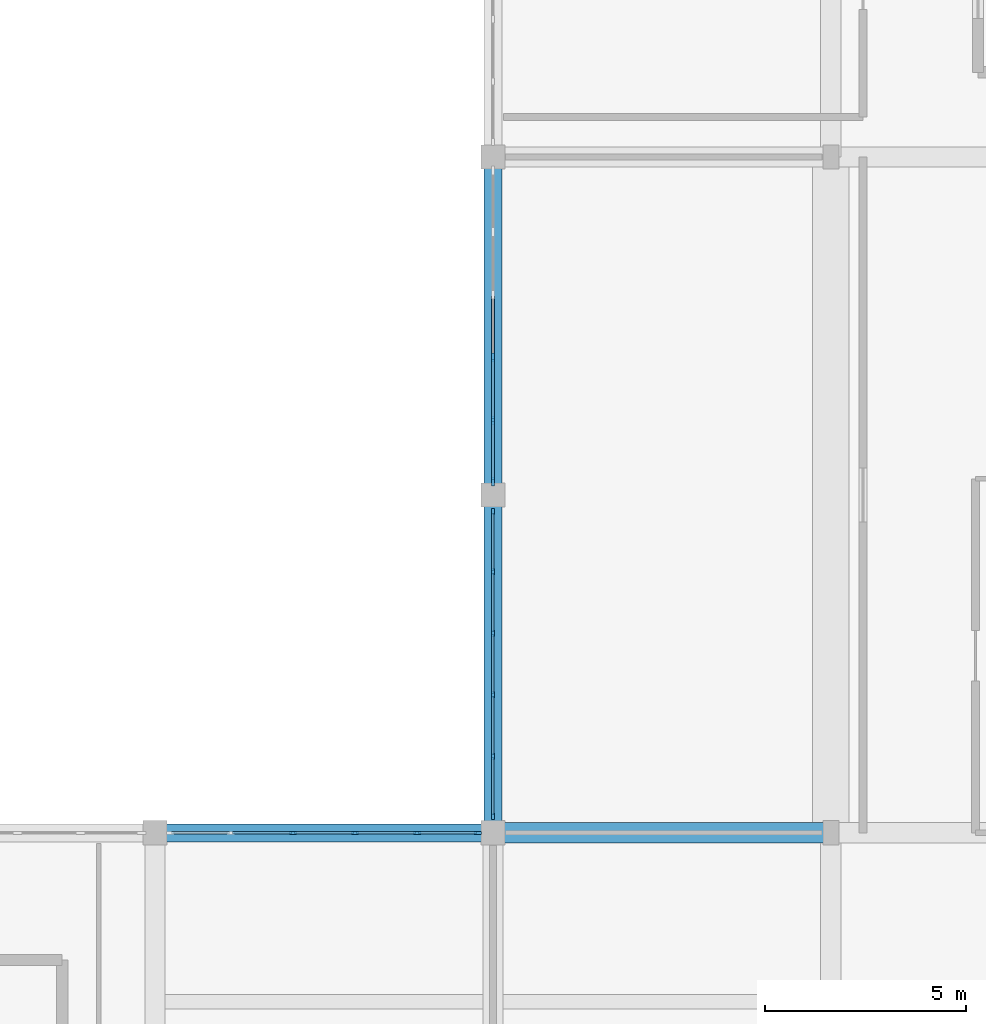
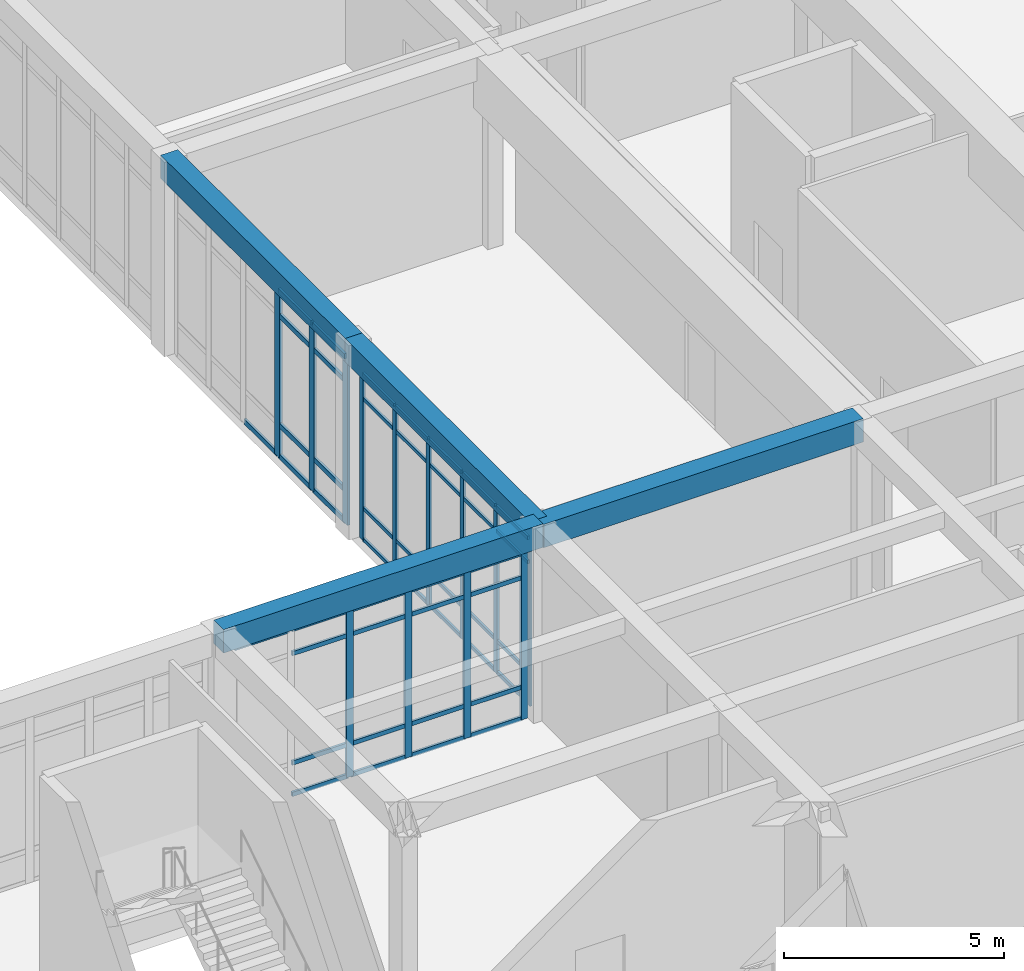
# One storey, part 33 of 89: 59 members, 4 beams, 3 elements without a shape of their own.
"""IFC4 building model written with IfcOpenShell, lengths in metres."""

from ifc_helpers import new_model, si_unit, direction, frame, origin, origin_2d, place, context, subcontext, project, spatial, rectangle, extrude, material, material_profile, profile_set, type_object, element, aggregate, save


model = new_model("IFC4")

# Units and contexts
model_context = context("Model", 3, precision=1e-05, world=origin(), true_north=direction((0.0, 1.0)))
body_context = subcontext(model_context, "Body", "Model", "MODEL_VIEW")
ifc_project = project(units=[si_unit("LENGTHUNIT", "METRE"), si_unit("AREAUNIT", "SQUARE_METRE"), si_unit("VOLUMEUNIT", "CUBIC_METRE"), si_unit("PLANEANGLEUNIT", "RADIAN"), si_unit("MASSUNIT", "GRAM", prefix="KILO")], contexts=[model_context])

# Site, building, storey
site_placement = place(None, origin())
site = spatial("IfcSite", under=ifc_project, at=site_placement, CompositionType="ELEMENT")
building_placement = place(site_placement, origin())
building = spatial("IfcBuilding", under=site, at=building_placement, Name="Varncliffe General Hospital", CompositionType="ELEMENT")
storey_placement = place(building_placement, frame((0.0, 0.0, 10.800048828125)))
storey = spatial("IfcBuildingStorey", under=building, at=storey_placement, Name="L02", CompositionType="ELEMENT", Elevation=10.800048828125)

# Beam
ifc_material_1 = material(Name="Concrete C35/45 (CSA A23.1 35 MPa)", Category="concrete")
ifc_material_profile_1 = material_profile(ifc_material_1, rectangle(XDim=0.5, YDim=0.64990234375, at=origin_2d()), Name="RC 500x650")
ifc_profile_set_1 = profile_set([ifc_material_profile_1], Name="Concrete C35/45 (CSA A23.1 35 MPa)")
beam_type_1 = type_object("IfcBeamType", Name="Beam B29 (Int RC 500x650)", PredefinedType="BEAM", material=ifc_profile_set_1)
beam_1_placement = place(storey_placement, frame((151.199951171875, 40.800048828125, 5.074951171875), z_axis=(1.0, 0.0, 0.0), x_axis=(0.0, 1.0, 0.0)))
element("IfcBeam", 1, at=beam_1_placement, inside=storey, type_object=beam_type_1, Name="L02 Primary Beam B29-48", PredefinedType="BEAM", context=body_context, shape_type="SweptSolid", body=[
    extrude(rectangle(XDim=0.5, YDim=0.64990234375, at=origin_2d()), origin(), (0.0, 0.0, 1.0), 8.400146484375),
])

# Curtain wall, members
ifc_material_2 = material(Name="Triple low-E argon insulated vision glazing", Category="glass")
curtain_wall_type_1 = type_object("IfcCurtainWallType", Name="Unitised Glazed Curtain Wall CW70 (7724x4640)", PredefinedType="USERDEFINED", material=ifc_material_2)
curtain_wall_1_placement = place(storey_placement, origin())
curtain_wall_1 = element("IfcCurtainWall", 2, at=curtain_wall_1_placement, inside=storey, type_object=curtain_wall_type_1, Name="L02 Glazed Curtain Wall CW70-121", ObjectType="GLAZED CURTAIN WALL", PredefinedType="USERDEFINED")
ifc_material_3 = material(Name="Dark bronze thermally broken aluminium framing", Category="aluminium")
ifc_material_profile_2 = material_profile(ifc_material_3, rectangle(XDim=0.074951171875, YDim=0.179931640625, at=origin_2d()), Name="ALU 75x180")
ifc_profile_set_2 = profile_set([ifc_material_profile_2], Name="Dark bronze thermally broken aluminium framing")
member_type_1 = type_object("IfcMemberType", Name="Curtain Wall Mullion CM44 (ALU 75x180)", PredefinedType="MULLION", material=ifc_profile_set_2)
member_1_placement = place(storey_placement, frame((146.2275390625, 40.800048828125, 0.0), z_axis=(0.0, 0.0, 1.0), x_axis=(0.0, 1.0, 0.0)))
member_1 = element("IfcMember", 3, at=member_1_placement, type_object=member_type_1, Name="CW70 mullion 3", PredefinedType="MULLION", context=body_context, shape_type="SweptSolid", body=[
    extrude(rectangle(XDim=0.074951171875, YDim=0.179931640625, at=origin_2d()), origin(), (0.0, 0.0, 1.0), 4.639892578125),
])
member_2_placement = place(storey_placement, frame((147.7724609375, 40.800048828125, 0.0), z_axis=(0.0, 0.0, 1.0), x_axis=(0.0, 1.0, 0.0)))
member_2 = element("IfcMember", 4, at=member_2_placement, type_object=member_type_1, Name="CW70 mullion 4", PredefinedType="MULLION", context=body_context, shape_type="SweptSolid", body=[
    extrude(rectangle(XDim=0.074951171875, YDim=0.179931640625, at=origin_2d()), origin(), (0.0, 0.0, 1.0), 4.639892578125),
])
member_3_placement = place(storey_placement, frame((149.317138671875, 40.800048828125, 0.0), z_axis=(0.0, 0.0, 1.0), x_axis=(0.0, 1.0, 0.0)))
member_3 = element("IfcMember", 5, at=member_3_placement, type_object=member_type_1, Name="CW70 mullion 5", PredefinedType="MULLION", context=body_context, shape_type="SweptSolid", body=[
    extrude(rectangle(XDim=0.074951171875, YDim=0.179931640625, at=origin_2d()), origin(), (0.0, 0.0, 1.0), 4.639892578125),
])
member_4_placement = place(storey_placement, frame((150.824462890625, 40.800048828125, 0.0), z_axis=(0.0, 0.0, 1.0), x_axis=(0.0, 1.0, 0.0)))
member_4 = element("IfcMember", 6, at=member_4_placement, type_object=member_type_1, Name="CW70 mullion 6", PredefinedType="MULLION", context=body_context, shape_type="SweptSolid", body=[
    extrude(rectangle(XDim=0.074951171875, YDim=0.179931640625, at=origin_2d()), origin(), (0.0, 0.0, 1.0), 4.639892578125),
])

curtain_wall_type_2 = type_object("IfcCurtainWallType", Name="Unitised Glazed Curtain Wall CW27 (7644x4640)", PredefinedType="USERDEFINED", material=ifc_material_2)
curtain_wall_2_placement = place(storey_placement, origin())
curtain_wall_2 = element("IfcCurtainWall", 7, at=curtain_wall_2_placement, inside=storey, type_object=curtain_wall_type_2, Name="L02 Glazed Curtain Wall CW27-122", ObjectType="GLAZED CURTAIN WALL", PredefinedType="USERDEFINED")
ifc_material_profile_3 = material_profile(ifc_material_3, rectangle(XDim=0.06494140625, YDim=0.159912109375, at=origin_2d()), Name="ALU 65x160")
ifc_profile_set_3 = profile_set([ifc_material_profile_3], Name="Dark bronze thermally broken aluminium framing")
member_type_2 = type_object("IfcMemberType", Name="Curtain Wall Mullion CM65 (ALU 65x160)", PredefinedType="MULLION", material=ifc_profile_set_3)
member_5_placement = place(storey_placement, frame((151.199951171875, 41.21044921875, 0.0), z_axis=(0.0, 0.0, 1.0), x_axis=(-1.0, 0.0, 0.0)))
member_5 = element("IfcMember", 8, at=member_5_placement, type_object=member_type_2, Name="CW27 mullion 1", PredefinedType="MULLION", context=body_context, shape_type="SweptSolid", body=[
    extrude(rectangle(XDim=0.06494140625, YDim=0.159912109375, at=origin_2d()), origin(), (0.0, 0.0, 1.0), 4.639892578125),
])
member_6_placement = place(storey_placement, frame((151.199951171875, 42.706787109375, 0.0), z_axis=(0.0, 0.0, 1.0), x_axis=(-1.0, 0.0, 0.0)))
member_6 = element("IfcMember", 9, at=member_6_placement, type_object=member_type_2, Name="CW27 mullion 2", PredefinedType="MULLION", context=body_context, shape_type="SweptSolid", body=[
    extrude(rectangle(XDim=0.06494140625, YDim=0.159912109375, at=origin_2d()), origin(), (0.0, 0.0, 1.0), 4.639892578125),
])
member_7_placement = place(storey_placement, frame((151.199951171875, 44.235595703125, 0.0), z_axis=(0.0, 0.0, 1.0), x_axis=(-1.0, 0.0, 0.0)))
member_7 = element("IfcMember", 10, at=member_7_placement, type_object=member_type_2, Name="CW27 mullion 3", PredefinedType="MULLION", context=body_context, shape_type="SweptSolid", body=[
    extrude(rectangle(XDim=0.06494140625, YDim=0.159912109375, at=origin_2d()), origin(), (0.0, 0.0, 1.0), 4.639892578125),
])
member_8_placement = place(storey_placement, frame((151.199951171875, 45.764404296875, 0.0), z_axis=(0.0, 0.0, 1.0), x_axis=(-1.0, 0.0, 0.0)))
member_8 = element("IfcMember", 11, at=member_8_placement, type_object=member_type_2, Name="CW27 mullion 4", PredefinedType="MULLION", context=body_context, shape_type="SweptSolid", body=[
    extrude(rectangle(XDim=0.06494140625, YDim=0.159912109375, at=origin_2d()), origin(), (0.0, 0.0, 1.0), 4.639892578125),
])
member_9_placement = place(storey_placement, frame((151.199951171875, 47.293212890625, 0.0), z_axis=(0.0, 0.0, 1.0), x_axis=(-1.0, 0.0, 0.0)))
member_9 = element("IfcMember", 12, at=member_9_placement, type_object=member_type_2, Name="CW27 mullion 5", PredefinedType="MULLION", context=body_context, shape_type="SweptSolid", body=[
    extrude(rectangle(XDim=0.06494140625, YDim=0.159912109375, at=origin_2d()), origin(), (0.0, 0.0, 1.0), 4.639892578125),
])
member_10_placement = place(storey_placement, frame((151.199951171875, 48.78955078125, 0.0), z_axis=(0.0, 0.0, 1.0), x_axis=(-1.0, 0.0, 0.0)))
member_10 = element("IfcMember", 13, at=member_10_placement, type_object=member_type_2, Name="CW27 mullion 6", PredefinedType="MULLION", context=body_context, shape_type="SweptSolid", body=[
    extrude(rectangle(XDim=0.06494140625, YDim=0.159912109375, at=origin_2d()), origin(), (0.0, 0.0, 1.0), 4.639892578125),
])

curtain_wall_type_3 = type_object("IfcCurtainWallType", Name="Unitised Glazed Curtain Wall CW85 (7804x4640)", PredefinedType="USERDEFINED", material=ifc_material_2)
curtain_wall_3_placement = place(storey_placement, origin())
curtain_wall_3 = element("IfcCurtainWall", 14, at=curtain_wall_3_placement, inside=storey, type_object=curtain_wall_type_3, Name="L02 Glazed Curtain Wall CW85-123", ObjectType="GLAZED CURTAIN WALL", PredefinedType="USERDEFINED")
ifc_material_profile_4 = material_profile(ifc_material_3, rectangle(XDim=0.074951171875, YDim=0.219970703125, at=origin_2d()), Name="ALU 75x220")
ifc_profile_set_4 = profile_set([ifc_material_profile_4], Name="Dark bronze thermally broken aluminium framing")
member_type_3 = type_object("IfcMemberType", Name="Curtain Wall Mullion CM74 (ALU 75x220)", PredefinedType="MULLION", material=ifc_profile_set_4)
member_11_placement = place(storey_placement, frame((151.199951171875, 49.535400390625, 0.0), z_axis=(0.0, 0.0, 1.0), x_axis=(-1.0, 0.0, 0.0)))
member_11 = element("IfcMember", 15, at=member_11_placement, type_object=member_type_3, Name="CW85 mullion 1", PredefinedType="MULLION", context=body_context, shape_type="SweptSolid", body=[
    extrude(rectangle(XDim=0.074951171875, YDim=0.219970703125, at=origin_2d()), origin(), (0.0, 0.0, 1.0), 4.639892578125),
])
member_12_placement = place(storey_placement, frame((151.199951171875, 51.058837890625, 0.0), z_axis=(0.0, 0.0, 1.0), x_axis=(-1.0, 0.0, 0.0)))
member_12 = element("IfcMember", 16, at=member_12_placement, type_object=member_type_3, Name="CW85 mullion 2", PredefinedType="MULLION", context=body_context, shape_type="SweptSolid", body=[
    extrude(rectangle(XDim=0.074951171875, YDim=0.219970703125, at=origin_2d()), origin(), (0.0, 0.0, 1.0), 4.639892578125),
])
member_13_placement = place(storey_placement, frame((151.199951171875, 52.61962890625, 0.0), z_axis=(0.0, 0.0, 1.0), x_axis=(-1.0, 0.0, 0.0)))
member_13 = element("IfcMember", 17, at=member_13_placement, type_object=member_type_3, Name="CW85 mullion 3", PredefinedType="MULLION", context=body_context, shape_type="SweptSolid", body=[
    extrude(rectangle(XDim=0.074951171875, YDim=0.219970703125, at=origin_2d()), origin(), (0.0, 0.0, 1.0), 4.639892578125),
])

# Member
ifc_material_profile_5 = material_profile(ifc_material_3, rectangle(XDim=0.06005859375, YDim=0.1201171875, at=origin_2d()), Name="ALU 60x120")
ifc_profile_set_5 = profile_set([ifc_material_profile_5], Name="Dark bronze thermally broken aluminium framing")
member_type_4 = type_object("IfcMemberType", Name="Curtain Wall Transom CT14 (ALU 60x120)", PredefinedType="USERDEFINED", material=ifc_profile_set_5)
member_14_placement = place(storey_placement, frame((143.212890625, 40.800048828125, 4.60986328125), z_axis=(1.0, 0.0, 0.0), x_axis=(0.0, 1.0, 0.0)))
member_14 = element("IfcMember", 18, at=member_14_placement, type_object=member_type_4, Name="CW70 transom 1.4", ObjectType="TRANSOM", PredefinedType="USERDEFINED", context=body_context, shape_type="SweptSolid", body=[
    extrude(rectangle(XDim=0.06005859375, YDim=0.1201171875, at=origin_2d()), origin(), (0.0, 0.0, 1.0), 1.432373046875),
])

member_15_placement = place(storey_placement, frame((144.72021484375, 40.800048828125, 0.030029296875), z_axis=(1.0, 0.0, 0.0), x_axis=(0.0, 1.0, 0.0)))
member_15 = element("IfcMember", 19, at=member_15_placement, type_object=member_type_4, Name="CW70 transom 2.1", ObjectType="TRANSOM", PredefinedType="USERDEFINED", context=body_context, shape_type="SweptSolid", body=[
    extrude(rectangle(XDim=0.06005859375, YDim=0.1201171875, at=origin_2d()), origin(), (0.0, 0.0, 1.0), 1.469970703125),
])

member_16_placement = place(storey_placement, frame((144.72021484375, 40.800048828125, 0.89990234375), z_axis=(1.0, 0.0, 0.0), x_axis=(0.0, 1.0, 0.0)))
member_16 = element("IfcMember", 20, at=member_16_placement, type_object=member_type_4, Name="CW70 transom 2.2", ObjectType="TRANSOM", PredefinedType="USERDEFINED", context=body_context, shape_type="SweptSolid", body=[
    extrude(rectangle(XDim=0.06005859375, YDim=0.1201171875, at=origin_2d()), origin(), (0.0, 0.0, 1.0), 1.469970703125),
])

member_17_placement = place(storey_placement, frame((144.72021484375, 40.800048828125, 3.93994140625), z_axis=(1.0, 0.0, 0.0), x_axis=(0.0, 1.0, 0.0)))
member_17 = element("IfcMember", 21, at=member_17_placement, type_object=member_type_4, Name="CW70 transom 2.3", ObjectType="TRANSOM", PredefinedType="USERDEFINED", context=body_context, shape_type="SweptSolid", body=[
    extrude(rectangle(XDim=0.06005859375, YDim=0.1201171875, at=origin_2d()), origin(), (0.0, 0.0, 1.0), 1.469970703125),
])

member_18_placement = place(storey_placement, frame((144.72021484375, 40.800048828125, 4.60986328125), z_axis=(1.0, 0.0, 0.0), x_axis=(0.0, 1.0, 0.0)))
member_18 = element("IfcMember", 22, at=member_18_placement, type_object=member_type_4, Name="CW70 transom 2.4", ObjectType="TRANSOM", PredefinedType="USERDEFINED", context=body_context, shape_type="SweptSolid", body=[
    extrude(rectangle(XDim=0.06005859375, YDim=0.1201171875, at=origin_2d()), origin(), (0.0, 0.0, 1.0), 1.469970703125),
])

member_19_placement = place(storey_placement, frame((146.26513671875, 40.800048828125, 0.030029296875), z_axis=(1.0, 0.0, 0.0), x_axis=(0.0, 1.0, 0.0)))
member_19 = element("IfcMember", 23, at=member_19_placement, type_object=member_type_4, Name="CW70 transom 3.1", ObjectType="TRANSOM", PredefinedType="USERDEFINED", context=body_context, shape_type="SweptSolid", body=[
    extrude(rectangle(XDim=0.06005859375, YDim=0.1201171875, at=origin_2d()), origin(), (0.0, 0.0, 1.0), 1.4697265625),
])

member_20_placement = place(storey_placement, frame((146.26513671875, 40.800048828125, 0.89990234375), z_axis=(1.0, 0.0, 0.0), x_axis=(0.0, 1.0, 0.0)))
member_20 = element("IfcMember", 24, at=member_20_placement, type_object=member_type_4, Name="CW70 transom 3.2", ObjectType="TRANSOM", PredefinedType="USERDEFINED", context=body_context, shape_type="SweptSolid", body=[
    extrude(rectangle(XDim=0.06005859375, YDim=0.1201171875, at=origin_2d()), origin(), (0.0, 0.0, 1.0), 1.4697265625),
])

member_21_placement = place(storey_placement, frame((146.26513671875, 40.800048828125, 3.93994140625), z_axis=(1.0, 0.0, 0.0), x_axis=(0.0, 1.0, 0.0)))
member_21 = element("IfcMember", 25, at=member_21_placement, type_object=member_type_4, Name="CW70 transom 3.3", ObjectType="TRANSOM", PredefinedType="USERDEFINED", context=body_context, shape_type="SweptSolid", body=[
    extrude(rectangle(XDim=0.06005859375, YDim=0.1201171875, at=origin_2d()), origin(), (0.0, 0.0, 1.0), 1.4697265625),
])

member_22_placement = place(storey_placement, frame((146.26513671875, 40.800048828125, 4.60986328125), z_axis=(1.0, 0.0, 0.0), x_axis=(0.0, 1.0, 0.0)))
member_22 = element("IfcMember", 26, at=member_22_placement, type_object=member_type_4, Name="CW70 transom 3.4", ObjectType="TRANSOM", PredefinedType="USERDEFINED", context=body_context, shape_type="SweptSolid", body=[
    extrude(rectangle(XDim=0.06005859375, YDim=0.1201171875, at=origin_2d()), origin(), (0.0, 0.0, 1.0), 1.4697265625),
])

member_23_placement = place(storey_placement, frame((147.809814453125, 40.800048828125, 0.030029296875), z_axis=(1.0, 0.0, 0.0), x_axis=(0.0, 1.0, 0.0)))
member_23 = element("IfcMember", 27, at=member_23_placement, type_object=member_type_4, Name="CW70 transom 4.1", ObjectType="TRANSOM", PredefinedType="USERDEFINED", context=body_context, shape_type="SweptSolid", body=[
    extrude(rectangle(XDim=0.06005859375, YDim=0.1201171875, at=origin_2d()), origin(), (0.0, 0.0, 1.0), 1.469970703125),
])

member_24_placement = place(storey_placement, frame((147.809814453125, 40.800048828125, 0.89990234375), z_axis=(1.0, 0.0, 0.0), x_axis=(0.0, 1.0, 0.0)))
member_24 = element("IfcMember", 28, at=member_24_placement, type_object=member_type_4, Name="CW70 transom 4.2", ObjectType="TRANSOM", PredefinedType="USERDEFINED", context=body_context, shape_type="SweptSolid", body=[
    extrude(rectangle(XDim=0.06005859375, YDim=0.1201171875, at=origin_2d()), origin(), (0.0, 0.0, 1.0), 1.469970703125),
])

member_25_placement = place(storey_placement, frame((147.809814453125, 40.800048828125, 3.93994140625), z_axis=(1.0, 0.0, 0.0), x_axis=(0.0, 1.0, 0.0)))
member_25 = element("IfcMember", 29, at=member_25_placement, type_object=member_type_4, Name="CW70 transom 4.3", ObjectType="TRANSOM", PredefinedType="USERDEFINED", context=body_context, shape_type="SweptSolid", body=[
    extrude(rectangle(XDim=0.06005859375, YDim=0.1201171875, at=origin_2d()), origin(), (0.0, 0.0, 1.0), 1.469970703125),
])

member_26_placement = place(storey_placement, frame((147.809814453125, 40.800048828125, 4.60986328125), z_axis=(1.0, 0.0, 0.0), x_axis=(0.0, 1.0, 0.0)))
member_26 = element("IfcMember", 30, at=member_26_placement, type_object=member_type_4, Name="CW70 transom 4.4", ObjectType="TRANSOM", PredefinedType="USERDEFINED", context=body_context, shape_type="SweptSolid", body=[
    extrude(rectangle(XDim=0.06005859375, YDim=0.1201171875, at=origin_2d()), origin(), (0.0, 0.0, 1.0), 1.469970703125),
])

member_27_placement = place(storey_placement, frame((149.354736328125, 40.800048828125, 0.030029296875), z_axis=(1.0, 0.0, 0.0), x_axis=(0.0, 1.0, 0.0)))
member_27 = element("IfcMember", 31, at=member_27_placement, type_object=member_type_4, Name="CW70 transom 5.1", ObjectType="TRANSOM", PredefinedType="USERDEFINED", context=body_context, shape_type="SweptSolid", body=[
    extrude(rectangle(XDim=0.06005859375, YDim=0.1201171875, at=origin_2d()), origin(), (0.0, 0.0, 1.0), 1.432373046875),
])

member_28_placement = place(storey_placement, frame((149.354736328125, 40.800048828125, 0.89990234375), z_axis=(1.0, 0.0, 0.0), x_axis=(0.0, 1.0, 0.0)))
member_28 = element("IfcMember", 32, at=member_28_placement, type_object=member_type_4, Name="CW70 transom 5.2", ObjectType="TRANSOM", PredefinedType="USERDEFINED", context=body_context, shape_type="SweptSolid", body=[
    extrude(rectangle(XDim=0.06005859375, YDim=0.1201171875, at=origin_2d()), origin(), (0.0, 0.0, 1.0), 1.432373046875),
])

member_29_placement = place(storey_placement, frame((149.354736328125, 40.800048828125, 3.93994140625), z_axis=(1.0, 0.0, 0.0), x_axis=(0.0, 1.0, 0.0)))
member_29 = element("IfcMember", 33, at=member_29_placement, type_object=member_type_4, Name="CW70 transom 5.3", ObjectType="TRANSOM", PredefinedType="USERDEFINED", context=body_context, shape_type="SweptSolid", body=[
    extrude(rectangle(XDim=0.06005859375, YDim=0.1201171875, at=origin_2d()), origin(), (0.0, 0.0, 1.0), 1.432373046875),
])

member_30_placement = place(storey_placement, frame((149.354736328125, 40.800048828125, 4.60986328125), z_axis=(1.0, 0.0, 0.0), x_axis=(0.0, 1.0, 0.0)))
member_30 = element("IfcMember", 34, at=member_30_placement, type_object=member_type_4, Name="CW70 transom 5.4", ObjectType="TRANSOM", PredefinedType="USERDEFINED", context=body_context, shape_type="SweptSolid", body=[
    extrude(rectangle(XDim=0.06005859375, YDim=0.1201171875, at=origin_2d()), origin(), (0.0, 0.0, 1.0), 1.432373046875),
])

aggregate(curtain_wall_1, [member_1, member_2, member_3, member_4, member_14, member_15, member_16, member_17, member_18, member_19, member_20, member_21, member_22, member_23, member_24, member_25, member_26, member_27, member_28, member_29, member_30])

ifc_material_profile_6 = material_profile(ifc_material_3, rectangle(XDim=0.06005859375, YDim=0.10009765625, at=origin_2d()), Name="ALU 60x100")
ifc_profile_set_6 = profile_set([ifc_material_profile_6], Name="Dark bronze thermally broken aluminium framing")
member_type_5 = type_object("IfcMemberType", Name="Curtain Wall Transom CT18 (ALU 60x100)", PredefinedType="USERDEFINED", material=ifc_profile_set_6)
member_31_placement = place(storey_placement, frame((151.199951171875, 41.242919921875, 0.030029296875), z_axis=(0.0, 1.0, 0.0), x_axis=(-1.0, 0.0, 0.0)))
member_31 = element("IfcMember", 35, at=member_31_placement, type_object=member_type_5, Name="CW27 transom 1.1", ObjectType="TRANSOM", PredefinedType="USERDEFINED", context=body_context, shape_type="SweptSolid", body=[
    extrude(rectangle(XDim=0.06005859375, YDim=0.10009765625, at=origin_2d()), origin(), (0.0, 0.0, 1.0), 1.431396484375),
])

member_32_placement = place(storey_placement, frame((151.199951171875, 41.242919921875, 0.89990234375), z_axis=(0.0, 1.0, 0.0), x_axis=(-1.0, 0.0, 0.0)))
member_32 = element("IfcMember", 36, at=member_32_placement, type_object=member_type_5, Name="CW27 transom 1.2", ObjectType="TRANSOM", PredefinedType="USERDEFINED", context=body_context, shape_type="SweptSolid", body=[
    extrude(rectangle(XDim=0.06005859375, YDim=0.10009765625, at=origin_2d()), origin(), (0.0, 0.0, 1.0), 1.431396484375),
])

member_33_placement = place(storey_placement, frame((151.199951171875, 41.242919921875, 3.93994140625), z_axis=(0.0, 1.0, 0.0), x_axis=(-1.0, 0.0, 0.0)))
member_33 = element("IfcMember", 37, at=member_33_placement, type_object=member_type_5, Name="CW27 transom 1.3", ObjectType="TRANSOM", PredefinedType="USERDEFINED", context=body_context, shape_type="SweptSolid", body=[
    extrude(rectangle(XDim=0.06005859375, YDim=0.10009765625, at=origin_2d()), origin(), (0.0, 0.0, 1.0), 1.431396484375),
])

member_34_placement = place(storey_placement, frame((151.199951171875, 41.242919921875, 4.60986328125), z_axis=(0.0, 1.0, 0.0), x_axis=(-1.0, 0.0, 0.0)))
member_34 = element("IfcMember", 38, at=member_34_placement, type_object=member_type_5, Name="CW27 transom 1.4", ObjectType="TRANSOM", PredefinedType="USERDEFINED", context=body_context, shape_type="SweptSolid", body=[
    extrude(rectangle(XDim=0.06005859375, YDim=0.10009765625, at=origin_2d()), origin(), (0.0, 0.0, 1.0), 1.431396484375),
])

member_35_placement = place(storey_placement, frame((151.199951171875, 42.7392578125, 0.030029296875), z_axis=(0.0, 1.0, 0.0), x_axis=(-1.0, 0.0, 0.0)))
member_35 = element("IfcMember", 39, at=member_35_placement, type_object=member_type_5, Name="CW27 transom 2.1", ObjectType="TRANSOM", PredefinedType="USERDEFINED", context=body_context, shape_type="SweptSolid", body=[
    extrude(rectangle(XDim=0.06005859375, YDim=0.10009765625, at=origin_2d()), origin(), (0.0, 0.0, 1.0), 1.4638671875),
])

member_36_placement = place(storey_placement, frame((151.199951171875, 42.7392578125, 0.89990234375), z_axis=(0.0, 1.0, 0.0), x_axis=(-1.0, 0.0, 0.0)))
member_36 = element("IfcMember", 40, at=member_36_placement, type_object=member_type_5, Name="CW27 transom 2.2", ObjectType="TRANSOM", PredefinedType="USERDEFINED", context=body_context, shape_type="SweptSolid", body=[
    extrude(rectangle(XDim=0.06005859375, YDim=0.10009765625, at=origin_2d()), origin(), (0.0, 0.0, 1.0), 1.4638671875),
])

member_37_placement = place(storey_placement, frame((151.199951171875, 42.7392578125, 3.93994140625), z_axis=(0.0, 1.0, 0.0), x_axis=(-1.0, 0.0, 0.0)))
member_37 = element("IfcMember", 41, at=member_37_placement, type_object=member_type_5, Name="CW27 transom 2.3", ObjectType="TRANSOM", PredefinedType="USERDEFINED", context=body_context, shape_type="SweptSolid", body=[
    extrude(rectangle(XDim=0.06005859375, YDim=0.10009765625, at=origin_2d()), origin(), (0.0, 0.0, 1.0), 1.4638671875),
])

member_38_placement = place(storey_placement, frame((151.199951171875, 42.7392578125, 4.60986328125), z_axis=(0.0, 1.0, 0.0), x_axis=(-1.0, 0.0, 0.0)))
member_38 = element("IfcMember", 42, at=member_38_placement, type_object=member_type_5, Name="CW27 transom 2.4", ObjectType="TRANSOM", PredefinedType="USERDEFINED", context=body_context, shape_type="SweptSolid", body=[
    extrude(rectangle(XDim=0.06005859375, YDim=0.10009765625, at=origin_2d()), origin(), (0.0, 0.0, 1.0), 1.4638671875),
])

member_39_placement = place(storey_placement, frame((151.199951171875, 44.26806640625, 0.030029296875), z_axis=(0.0, 1.0, 0.0), x_axis=(-1.0, 0.0, 0.0)))
member_39 = element("IfcMember", 43, at=member_39_placement, type_object=member_type_5, Name="CW27 transom 3.1", ObjectType="TRANSOM", PredefinedType="USERDEFINED", context=body_context, shape_type="SweptSolid", body=[
    extrude(rectangle(XDim=0.06005859375, YDim=0.10009765625, at=origin_2d()), origin(), (0.0, 0.0, 1.0), 1.4638671875),
])

member_40_placement = place(storey_placement, frame((151.199951171875, 44.26806640625, 0.89990234375), z_axis=(0.0, 1.0, 0.0), x_axis=(-1.0, 0.0, 0.0)))
member_40 = element("IfcMember", 44, at=member_40_placement, type_object=member_type_5, Name="CW27 transom 3.2", ObjectType="TRANSOM", PredefinedType="USERDEFINED", context=body_context, shape_type="SweptSolid", body=[
    extrude(rectangle(XDim=0.06005859375, YDim=0.10009765625, at=origin_2d()), origin(), (0.0, 0.0, 1.0), 1.4638671875),
])

member_41_placement = place(storey_placement, frame((151.199951171875, 44.26806640625, 3.93994140625), z_axis=(0.0, 1.0, 0.0), x_axis=(-1.0, 0.0, 0.0)))
member_41 = element("IfcMember", 45, at=member_41_placement, type_object=member_type_5, Name="CW27 transom 3.3", ObjectType="TRANSOM", PredefinedType="USERDEFINED", context=body_context, shape_type="SweptSolid", body=[
    extrude(rectangle(XDim=0.06005859375, YDim=0.10009765625, at=origin_2d()), origin(), (0.0, 0.0, 1.0), 1.4638671875),
])

member_42_placement = place(storey_placement, frame((151.199951171875, 44.26806640625, 4.60986328125), z_axis=(0.0, 1.0, 0.0), x_axis=(-1.0, 0.0, 0.0)))
member_42 = element("IfcMember", 46, at=member_42_placement, type_object=member_type_5, Name="CW27 transom 3.4", ObjectType="TRANSOM", PredefinedType="USERDEFINED", context=body_context, shape_type="SweptSolid", body=[
    extrude(rectangle(XDim=0.06005859375, YDim=0.10009765625, at=origin_2d()), origin(), (0.0, 0.0, 1.0), 1.4638671875),
])

member_43_placement = place(storey_placement, frame((151.199951171875, 45.796875, 0.030029296875), z_axis=(0.0, 1.0, 0.0), x_axis=(-1.0, 0.0, 0.0)))
member_43 = element("IfcMember", 47, at=member_43_placement, type_object=member_type_5, Name="CW27 transom 4.1", ObjectType="TRANSOM", PredefinedType="USERDEFINED", context=body_context, shape_type="SweptSolid", body=[
    extrude(rectangle(XDim=0.06005859375, YDim=0.10009765625, at=origin_2d()), origin(), (0.0, 0.0, 1.0), 1.4638671875),
])

member_44_placement = place(storey_placement, frame((151.199951171875, 45.796875, 0.89990234375), z_axis=(0.0, 1.0, 0.0), x_axis=(-1.0, 0.0, 0.0)))
member_44 = element("IfcMember", 48, at=member_44_placement, type_object=member_type_5, Name="CW27 transom 4.2", ObjectType="TRANSOM", PredefinedType="USERDEFINED", context=body_context, shape_type="SweptSolid", body=[
    extrude(rectangle(XDim=0.06005859375, YDim=0.10009765625, at=origin_2d()), origin(), (0.0, 0.0, 1.0), 1.4638671875),
])

member_45_placement = place(storey_placement, frame((151.199951171875, 45.796875, 3.93994140625), z_axis=(0.0, 1.0, 0.0), x_axis=(-1.0, 0.0, 0.0)))
member_45 = element("IfcMember", 49, at=member_45_placement, type_object=member_type_5, Name="CW27 transom 4.3", ObjectType="TRANSOM", PredefinedType="USERDEFINED", context=body_context, shape_type="SweptSolid", body=[
    extrude(rectangle(XDim=0.06005859375, YDim=0.10009765625, at=origin_2d()), origin(), (0.0, 0.0, 1.0), 1.4638671875),
])

member_46_placement = place(storey_placement, frame((151.199951171875, 45.796875, 4.60986328125), z_axis=(0.0, 1.0, 0.0), x_axis=(-1.0, 0.0, 0.0)))
member_46 = element("IfcMember", 50, at=member_46_placement, type_object=member_type_5, Name="CW27 transom 4.4", ObjectType="TRANSOM", PredefinedType="USERDEFINED", context=body_context, shape_type="SweptSolid", body=[
    extrude(rectangle(XDim=0.06005859375, YDim=0.10009765625, at=origin_2d()), origin(), (0.0, 0.0, 1.0), 1.4638671875),
])

member_47_placement = place(storey_placement, frame((151.199951171875, 47.32568359375, 0.030029296875), z_axis=(0.0, 1.0, 0.0), x_axis=(-1.0, 0.0, 0.0)))
member_47 = element("IfcMember", 51, at=member_47_placement, type_object=member_type_5, Name="CW27 transom 5.1", ObjectType="TRANSOM", PredefinedType="USERDEFINED", context=body_context, shape_type="SweptSolid", body=[
    extrude(rectangle(XDim=0.06005859375, YDim=0.10009765625, at=origin_2d()), origin(), (0.0, 0.0, 1.0), 1.431396484375),
])

member_48_placement = place(storey_placement, frame((151.199951171875, 47.32568359375, 0.89990234375), z_axis=(0.0, 1.0, 0.0), x_axis=(-1.0, 0.0, 0.0)))
member_48 = element("IfcMember", 52, at=member_48_placement, type_object=member_type_5, Name="CW27 transom 5.2", ObjectType="TRANSOM", PredefinedType="USERDEFINED", context=body_context, shape_type="SweptSolid", body=[
    extrude(rectangle(XDim=0.06005859375, YDim=0.10009765625, at=origin_2d()), origin(), (0.0, 0.0, 1.0), 1.431396484375),
])

member_49_placement = place(storey_placement, frame((151.199951171875, 47.32568359375, 3.93994140625), z_axis=(0.0, 1.0, 0.0), x_axis=(-1.0, 0.0, 0.0)))
member_49 = element("IfcMember", 53, at=member_49_placement, type_object=member_type_5, Name="CW27 transom 5.3", ObjectType="TRANSOM", PredefinedType="USERDEFINED", context=body_context, shape_type="SweptSolid", body=[
    extrude(rectangle(XDim=0.06005859375, YDim=0.10009765625, at=origin_2d()), origin(), (0.0, 0.0, 1.0), 1.431396484375),
])

member_50_placement = place(storey_placement, frame((151.199951171875, 47.32568359375, 4.60986328125), z_axis=(0.0, 1.0, 0.0), x_axis=(-1.0, 0.0, 0.0)))
member_50 = element("IfcMember", 54, at=member_50_placement, type_object=member_type_5, Name="CW27 transom 5.4", ObjectType="TRANSOM", PredefinedType="USERDEFINED", context=body_context, shape_type="SweptSolid", body=[
    extrude(rectangle(XDim=0.06005859375, YDim=0.10009765625, at=origin_2d()), origin(), (0.0, 0.0, 1.0), 1.431396484375),
])

aggregate(curtain_wall_2, [member_5, member_6, member_7, member_8, member_9, member_10, member_31, member_32, member_33, member_34, member_35, member_36, member_37, member_38, member_39, member_40, member_41, member_42, member_43, member_44, member_45, member_46, member_47, member_48, member_49, member_50])

ifc_material_profile_7 = material_profile(ifc_material_3, rectangle(XDim=0.06494140625, YDim=0.139892578125, at=origin_2d()), Name="ALU 65x140")
ifc_profile_set_7 = profile_set([ifc_material_profile_7], Name="Dark bronze thermally broken aluminium framing")
member_type_6 = type_object("IfcMemberType", Name="Curtain Wall Transom CT69 (ALU 65x140)", PredefinedType="USERDEFINED", material=ifc_profile_set_7)
member_51_placement = place(storey_placement, frame((151.199951171875, 49.572998046875, 0.032470703125), z_axis=(0.0, 1.0, 0.0), x_axis=(-1.0, 0.0, 0.0)))
member_51 = element("IfcMember", 55, at=member_51_placement, type_object=member_type_6, Name="CW85 transom 1.1", ObjectType="TRANSOM", PredefinedType="USERDEFINED", context=body_context, shape_type="SweptSolid", body=[
    extrude(rectangle(XDim=0.06494140625, YDim=0.139892578125, at=origin_2d()), origin(), (0.0, 0.0, 1.0), 1.4482421875),
])

member_52_placement = place(storey_placement, frame((151.199951171875, 49.572998046875, 0.89990234375), z_axis=(0.0, 1.0, 0.0), x_axis=(-1.0, 0.0, 0.0)))
member_52 = element("IfcMember", 56, at=member_52_placement, type_object=member_type_6, Name="CW85 transom 1.2", ObjectType="TRANSOM", PredefinedType="USERDEFINED", context=body_context, shape_type="SweptSolid", body=[
    extrude(rectangle(XDim=0.06494140625, YDim=0.139892578125, at=origin_2d()), origin(), (0.0, 0.0, 1.0), 1.4482421875),
])

member_53_placement = place(storey_placement, frame((151.199951171875, 49.572998046875, 3.93994140625), z_axis=(0.0, 1.0, 0.0), x_axis=(-1.0, 0.0, 0.0)))
member_53 = element("IfcMember", 57, at=member_53_placement, type_object=member_type_6, Name="CW85 transom 1.3", ObjectType="TRANSOM", PredefinedType="USERDEFINED", context=body_context, shape_type="SweptSolid", body=[
    extrude(rectangle(XDim=0.06494140625, YDim=0.139892578125, at=origin_2d()), origin(), (0.0, 0.0, 1.0), 1.4482421875),
])

member_54_placement = place(storey_placement, frame((151.199951171875, 49.572998046875, 4.607421875), z_axis=(0.0, 1.0, 0.0), x_axis=(-1.0, 0.0, 0.0)))
member_54 = element("IfcMember", 58, at=member_54_placement, type_object=member_type_6, Name="CW85 transom 1.4", ObjectType="TRANSOM", PredefinedType="USERDEFINED", context=body_context, shape_type="SweptSolid", body=[
    extrude(rectangle(XDim=0.06494140625, YDim=0.139892578125, at=origin_2d()), origin(), (0.0, 0.0, 1.0), 1.4482421875),
])

member_55_placement = place(storey_placement, frame((151.199951171875, 51.09619140625, 0.032470703125), z_axis=(0.0, 1.0, 0.0), x_axis=(-1.0, 0.0, 0.0)))
member_55 = element("IfcMember", 59, at=member_55_placement, type_object=member_type_6, Name="CW85 transom 2.1", ObjectType="TRANSOM", PredefinedType="USERDEFINED", context=body_context, shape_type="SweptSolid", body=[
    extrude(rectangle(XDim=0.06494140625, YDim=0.139892578125, at=origin_2d()), origin(), (0.0, 0.0, 1.0), 1.48583984375),
])

member_56_placement = place(storey_placement, frame((151.199951171875, 51.09619140625, 0.89990234375), z_axis=(0.0, 1.0, 0.0), x_axis=(-1.0, 0.0, 0.0)))
member_56 = element("IfcMember", 60, at=member_56_placement, type_object=member_type_6, Name="CW85 transom 2.2", ObjectType="TRANSOM", PredefinedType="USERDEFINED", context=body_context, shape_type="SweptSolid", body=[
    extrude(rectangle(XDim=0.06494140625, YDim=0.139892578125, at=origin_2d()), origin(), (0.0, 0.0, 1.0), 1.48583984375),
])

member_57_placement = place(storey_placement, frame((151.199951171875, 51.09619140625, 3.93994140625), z_axis=(0.0, 1.0, 0.0), x_axis=(-1.0, 0.0, 0.0)))
member_57 = element("IfcMember", 61, at=member_57_placement, type_object=member_type_6, Name="CW85 transom 2.3", ObjectType="TRANSOM", PredefinedType="USERDEFINED", context=body_context, shape_type="SweptSolid", body=[
    extrude(rectangle(XDim=0.06494140625, YDim=0.139892578125, at=origin_2d()), origin(), (0.0, 0.0, 1.0), 1.48583984375),
])

member_58_placement = place(storey_placement, frame((151.199951171875, 51.09619140625, 4.607421875), z_axis=(0.0, 1.0, 0.0), x_axis=(-1.0, 0.0, 0.0)))
member_58 = element("IfcMember", 62, at=member_58_placement, type_object=member_type_6, Name="CW85 transom 2.4", ObjectType="TRANSOM", PredefinedType="USERDEFINED", context=body_context, shape_type="SweptSolid", body=[
    extrude(rectangle(XDim=0.06494140625, YDim=0.139892578125, at=origin_2d()), origin(), (0.0, 0.0, 1.0), 1.48583984375),
])

member_59_placement = place(storey_placement, frame((151.199951171875, 52.656982421875, 0.032470703125), z_axis=(0.0, 1.0, 0.0), x_axis=(-1.0, 0.0, 0.0)))
member_59 = element("IfcMember", 63, at=member_59_placement, type_object=member_type_6, Name="CW85 transom 3.1", ObjectType="TRANSOM", PredefinedType="USERDEFINED", context=body_context, shape_type="SweptSolid", body=[
    extrude(rectangle(XDim=0.06494140625, YDim=0.139892578125, at=origin_2d()), origin(), (0.0, 0.0, 1.0), 1.48583984375),
])

aggregate(curtain_wall_3, [member_11, member_12, member_13, member_51, member_52, member_53, member_54, member_55, member_56, member_57, member_58, member_59])

# Beams
ifc_material_profile_8 = material_profile(ifc_material_1, rectangle(XDim=0.449951171875, YDim=0.64990234375, at=origin_2d()), Name="RC 450x650")
ifc_profile_set_8 = profile_set([ifc_material_profile_8], Name="Concrete C35/45 (CSA A23.1 35 MPa)")
beam_type_2 = type_object("IfcBeamType", Name="Spandrel SP38 (Ext RC 450x650B)", PredefinedType="SPANDREL", material=ifc_profile_set_8)
for number, where, z_axis, x_axis, name in (
    (64, (142.800048828125, 40.800048828125, 5.074951171875), (1.0, 0.0, 0.0), (0.0, 1.0, 0.0), "L02 Spandrel Beam SP38-47"),
    (65, (151.199951171875, 40.800048828125, 5.074951171875), (0.0, 1.0, 0.0), (-1.0, 0.0, 0.0), "L02 Spandrel Beam SP38-434"),
):
    element("IfcBeam", number, at=place(storey_placement, frame(where, z_axis=z_axis, x_axis=x_axis)), inside=storey, type_object=beam_type_2, Name=name, PredefinedType="SPANDREL", context=body_context, shape_type="SweptSolid", body=[
        extrude(rectangle(XDim=0.449951171875, YDim=0.64990234375, at=origin_2d()), origin(), (0.0, 0.0, 1.0), 8.39990234375),
    ])
beam_2_placement = place(storey_placement, frame((151.199951171875, 49.199951171875, 5.074951171875), z_axis=(0.0, 1.0, 0.0), x_axis=(-1.0, 0.0, 0.0)))
element("IfcBeam", 66, at=beam_2_placement, inside=storey, type_object=beam_type_2, Name="L02 Spandrel Beam SP38-435", PredefinedType="SPANDREL", context=body_context, shape_type="SweptSolid", body=[
    extrude(rectangle(XDim=0.449951171875, YDim=0.64990234375, at=origin_2d()), origin(), (0.0, 0.0, 1.0), 8.400146484375),
])

save(model, "model.ifc")
